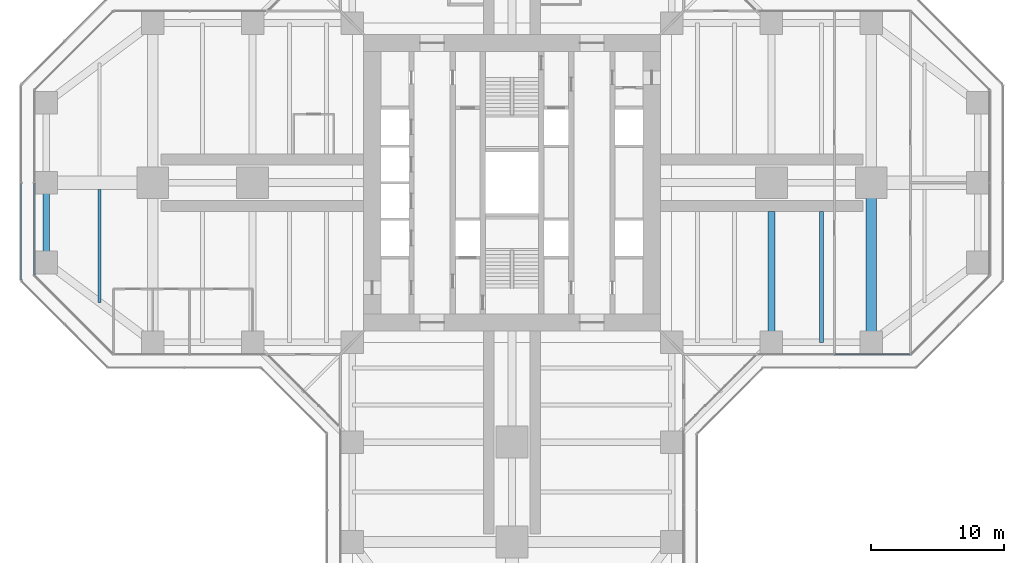
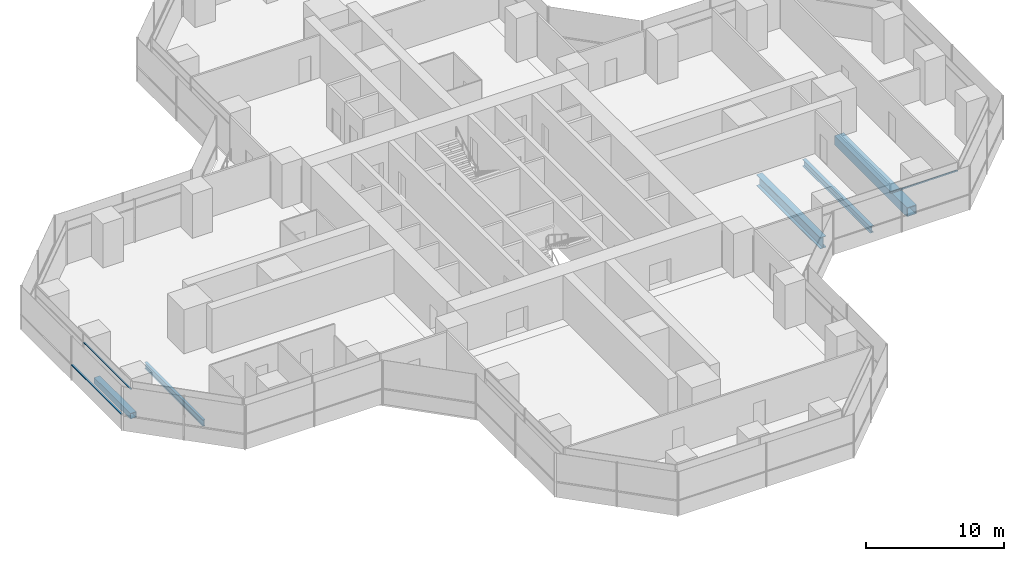
# One storey, part 7 of 22: 5 beams, 3 members, 3 elements without a shape of their own.
"""IFC4 building model written with IfcOpenShell, lengths in metres."""

from ifc_helpers import new_model, si_unit, direction, frame, origin, origin_2d, place, context, subcontext, project, spatial, rectangle, hollow_rectangle, i_section, extrude, material, material_profile, profile_set, type_object, element, aggregate, save


model = new_model("IFC4")

# Units and contexts
model_context = context("Model", 3, precision=1e-05, world=origin(), true_north=direction((0.0, 1.0)))
body_context = subcontext(model_context, "Body", "Model", "MODEL_VIEW")
ifc_project = project(units=[si_unit("LENGTHUNIT", "METRE"), si_unit("AREAUNIT", "SQUARE_METRE"), si_unit("VOLUMEUNIT", "CUBIC_METRE"), si_unit("PLANEANGLEUNIT", "RADIAN"), si_unit("MASSUNIT", "GRAM", prefix="KILO")], contexts=[model_context])

# Site, building, storey
site_placement = place(None, origin())
site = spatial("IfcSite", under=ifc_project, at=site_placement, CompositionType="ELEMENT")
building_placement = place(site_placement, origin())
building = spatial("IfcBuilding", under=site, at=building_placement, Name="Mizan Broadcast Tower", CompositionType="ELEMENT")
storey_placement = place(building_placement, frame((0.0, 0.0, 74.699951171875)))
storey = spatial("IfcBuildingStorey", under=building, at=storey_placement, Name="L15", CompositionType="ELEMENT", Elevation=74.699951171875)

# Beams
ifc_material_1 = material(Name="Steel S355", Category="steel")
ifc_material_profile_1 = material_profile(ifc_material_1, hollow_rectangle(XDim=0.5, YDim=0.5, WallThickness=0.030029296875, at=origin_2d()), Name="BOX 500x500x30")
ifc_profile_set_1 = profile_set([ifc_material_profile_1], Name="Steel S355")
beam_type_1 = type_object("IfcBeamType", Name="EDGE BEAM BOX 500x500x30", PredefinedType="SPANDREL", material=ifc_profile_set_1)
beam_1_placement = place(storey_placement, frame((-35.0, -5.639892578125, -0.3798828125), z_axis=(0.0, 1.0, 0.0), x_axis=(-1.0, 0.0, 0.0)))
element("IfcBeam", 1, at=beam_1_placement, inside=storey, type_object=beam_type_1, Name="Edge beam BOX 500x500x30 L15 west arm", PredefinedType="SPANDREL", context=body_context, shape_type="SweptSolid", body=[
    extrude(hollow_rectangle(XDim=0.5, YDim=0.5, WallThickness=0.030029296875, at=origin_2d()), origin(), (0.0, 0.0, 1.0), 5.27978515625),
])
ifc_material_2 = material(Name="Steel S460", Category="steel")
ifc_material_profile_2 = material_profile(ifc_material_2, hollow_rectangle(XDim=0.800048828125, YDim=0.800048828125, WallThickness=0.050048828125, at=origin_2d()), Name="BOX 800x800x50")
ifc_profile_set_2 = profile_set([ifc_material_profile_2], Name="Steel S460")
beam_type_2 = type_object("IfcBeamType", Name="GIRDER BOX 800x800x50", PredefinedType="BEAM", material=ifc_profile_set_2)
beam_2_placement = place(storey_placement, frame((27.0, -11.280029296875, -0.530029296875), z_axis=(0.0, 1.0, 0.0), x_axis=(-1.0, 0.0, 0.0)))
element("IfcBeam", 2, at=beam_2_placement, inside=storey, type_object=beam_type_2, Name="Girder BOX 800x800x50 L15 east arm", PredefinedType="BEAM", context=body_context, shape_type="SweptSolid", body=[
    extrude(hollow_rectangle(XDim=0.800048828125, YDim=0.800048828125, WallThickness=0.050048828125, at=origin_2d()), origin(), (0.0, 0.0, 1.0), 10.56005859375),
])
ifc_material_3 = material(Name="Steel S460", Category="steel")
ifc_material_profile_3 = material_profile(ifc_material_3, i_section(OverallWidth=0.5, OverallDepth=1.0, WebThickness=0.02490234375, FlangeThickness=0.050048828125, at=origin_2d()), Name="WPG 1000x500")
ifc_profile_set_3 = profile_set([ifc_material_profile_3], Name="Steel S460")
beam_type_3 = type_object("IfcBeamType", Name="GIRDER WPG 1000x500", PredefinedType="BEAM", material=ifc_profile_set_3)
beam_3_placement = place(storey_placement, frame((19.5, -11.408935546875, -0.6298828125), z_axis=(0.0, 1.0, 0.0), x_axis=(-1.0, 0.0, 0.0)))
element("IfcBeam", 3, at=beam_3_placement, inside=storey, type_object=beam_type_3, Name="Girder WPG 1000x500 L15 east arm", PredefinedType="BEAM", context=body_context, shape_type="SweptSolid", body=[
    extrude(i_section(OverallWidth=0.5, OverallDepth=1.0, WebThickness=0.02490234375, FlangeThickness=0.050048828125, at=origin_2d()), origin(), (0.0, 0.0, 1.0), 9.259033203125),
])

# Curtain wall, member
ifc_material_4 = material(Name="Aluminium framed glazing", Category="aluminium")
curtain_wall_type_1 = type_object("IfcCurtainWallType", Name="INNER SKIN LOW ZONE", PredefinedType="USERDEFINED", material=ifc_material_4)
curtain_wall_1_placement = place(storey_placement, origin())
curtain_wall_1 = element("IfcCurtainWall", 4, at=curtain_wall_1_placement, inside=storey, type_object=curtain_wall_type_1, Name="Inner skin low zone L15 E side", ObjectType="INNER SKIN LOW ZONE", PredefinedType="USERDEFINED")
ifc_material_5 = material(Name="Aluminium, pale anodised", Category="aluminium")
ifc_material_profile_4 = material_profile(ifc_material_5, rectangle(XDim=0.1201171875, YDim=0.06005859375, at=origin_2d()), Name="TRANSOM 120x60")
ifc_profile_set_4 = profile_set([ifc_material_profile_4], Name="Aluminium, pale anodised")
member_type_1 = type_object("IfcMemberType", Name="INNER SKIN TRANSOM 60x120", PredefinedType="USERDEFINED", material=ifc_profile_set_4)
member_1_placement = place(storey_placement, frame((24.25927734375, -12.89990234375, 3.030029296875), z_axis=(1.0, 0.0, 0.0), x_axis=(0.0, 1.0, 0.0)))
member_1 = element("IfcMember", 5, at=member_1_placement, type_object=member_type_1, Name="Inner skin low zone L15 E side transom 2.1", ObjectType="TRANSOM", PredefinedType="USERDEFINED", context=body_context, shape_type="SweptSolid", body=[
    extrude(rectangle(XDim=0.1201171875, YDim=0.06005859375, at=origin_2d()), origin(), (0.0, 0.0, 1.0), 5.639404296875),
])
aggregate(curtain_wall_1, [member_1])

curtain_wall_2_placement = place(storey_placement, origin())
curtain_wall_2 = element("IfcCurtainWall", 6, at=curtain_wall_2_placement, inside=storey, type_object=curtain_wall_type_1, Name="Inner skin low zone L15 W end", ObjectType="INNER SKIN LOW ZONE", PredefinedType="USERDEFINED")
member_2_placement = place(storey_placement, frame((-35.89990234375, -0.030029296875, 3.030029296875), z_axis=(0.0, -1.0, 0.0), x_axis=(1.0, 0.0, 0.0)))
member_2 = element("IfcMember", 7, at=member_2_placement, type_object=member_type_1, Name="Inner skin low zone L15 W end transom 2.1", ObjectType="TRANSOM", PredefinedType="USERDEFINED", context=body_context, shape_type="SweptSolid", body=[
    extrude(rectangle(XDim=0.1201171875, YDim=0.06005859375, at=origin_2d()), origin(), (0.0, 0.0, 1.0), 6.86865234375),
])
aggregate(curtain_wall_2, [member_2])

ifc_material_6 = material(Name="Aluminium framed glazing", Category="aluminium")
curtain_wall_type_2 = type_object("IfcCurtainWallType", Name="OUTER SKIN", PredefinedType="USERDEFINED", material=ifc_material_6)
curtain_wall_3_placement = place(storey_placement, origin())
curtain_wall_3 = element("IfcCurtainWall", 8, at=curtain_wall_3_placement, inside=storey, type_object=curtain_wall_type_2, Name="Outer skin L15 W end", ObjectType="OUTER SKIN", PredefinedType="USERDEFINED")
ifc_material_7 = material(Name="Aluminium, pale anodised", Category="aluminium")
ifc_material_profile_5 = material_profile(ifc_material_7, rectangle(XDim=0.159912109375, YDim=0.06005859375, at=origin_2d()), Name="TRANSOM 160x60")
ifc_profile_set_5 = profile_set([ifc_material_profile_5], Name="Aluminium, pale anodised")
member_type_2 = type_object("IfcMemberType", Name="OUTER SKIN TRANSOM 60x160", PredefinedType="USERDEFINED", material=ifc_profile_set_5)
member_3_placement = place(storey_placement, frame((-36.89990234375, -0.0400390625, 1.400146484375), z_axis=(0.0, -1.0, 0.0), x_axis=(1.0, 0.0, 0.0)))
member_3 = element("IfcMember", 9, at=member_3_placement, type_object=member_type_2, Name="Outer skin L15 W end transom 2.1", ObjectType="TRANSOM", PredefinedType="USERDEFINED", context=body_context, shape_type="SweptSolid", body=[
    extrude(rectangle(XDim=0.159912109375, YDim=0.06005859375, at=origin_2d()), origin(), (0.0, 0.0, 1.0), 7.252685546875),
])
aggregate(curtain_wall_3, [member_3])

# Beams
ifc_material_8 = material(Name="Steel S355", Category="steel")
ifc_material_profile_6 = material_profile(ifc_material_8, i_section(OverallWidth=0.300048828125, OverallDepth=0.590087890625, WebThickness=0.012939453125, FlangeThickness=0.02490234375, FilletRadius=0.027099609375, at=origin_2d()), Name="HEA 600")
ifc_profile_set_6 = profile_set([ifc_material_profile_6], Name="Steel S355")
beam_type_4 = type_object("IfcBeamType", Name="SECONDARY BEAM HEA 600", PredefinedType="JOIST", material=ifc_profile_set_6)
beam_4_placement = place(storey_placement, frame((23.25, -12.0, -0.425048828125), z_axis=(0.0, 1.0, 0.0), x_axis=(-1.0, 0.0, 0.0)))
element("IfcBeam", 10, at=beam_4_placement, inside=storey, type_object=beam_type_4, Name="Secondary beam HEA 600 L15 east arm", PredefinedType="JOIST", context=body_context, shape_type="SweptSolid", body=[
    extrude(i_section(OverallWidth=0.300048828125, OverallDepth=0.590087890625, WebThickness=0.012939453125, FlangeThickness=0.02490234375, FilletRadius=0.027099609375, at=origin_2d()), origin(), (0.0, 0.0, 1.0), 9.85009765625),
])
ifc_material_9 = material(Name="Steel S355", Category="steel")
ifc_material_profile_7 = material_profile(ifc_material_9, i_section(OverallWidth=0.2099609375, OverallDepth=0.550048828125, WebThickness=0.010986328125, FlangeThickness=0.01708984375, FilletRadius=0.02392578125, at=origin_2d()), Name="IPE 550")
ifc_profile_set_7 = profile_set([ifc_material_profile_7], Name="Steel S355")
beam_type_5 = type_object("IfcBeamType", Name="SECONDARY BEAM IPE 550", PredefinedType="JOIST", material=ifc_profile_set_7)
beam_5_placement = place(storey_placement, frame((-31.0, -9.0, -0.405029296875), z_axis=(0.0, 1.0, 0.0), x_axis=(-1.0, 0.0, 0.0)))
element("IfcBeam", 11, at=beam_5_placement, inside=storey, type_object=beam_type_5, Name="Secondary beam IPE 550 L15 west arm", PredefinedType="JOIST", context=body_context, shape_type="SweptSolid", body=[
    extrude(i_section(OverallWidth=0.2099609375, OverallDepth=0.550048828125, WebThickness=0.010986328125, FlangeThickness=0.01708984375, FilletRadius=0.02392578125, at=origin_2d()), origin(), (0.0, 0.0, 1.0), 8.5),
])

save(model, "model.ifc")
